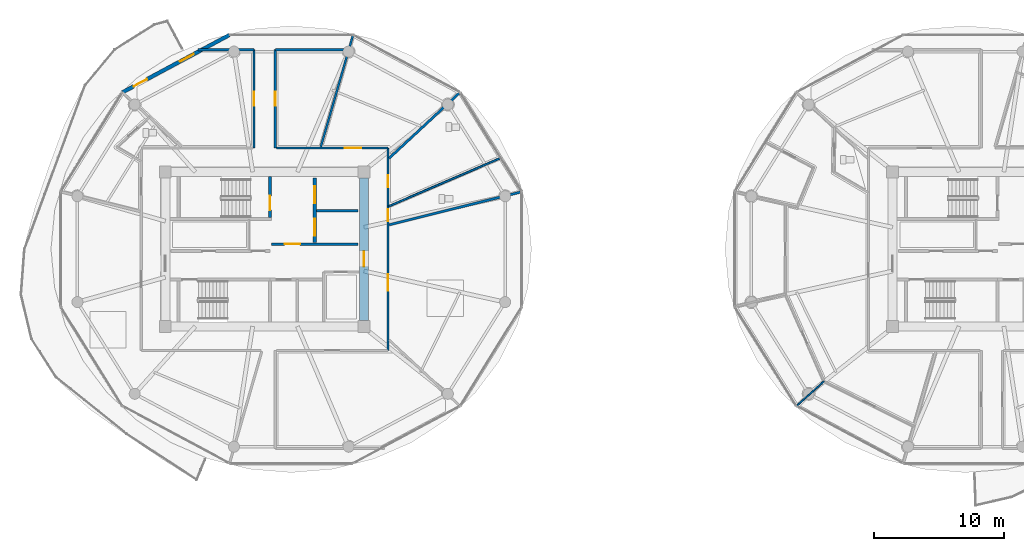
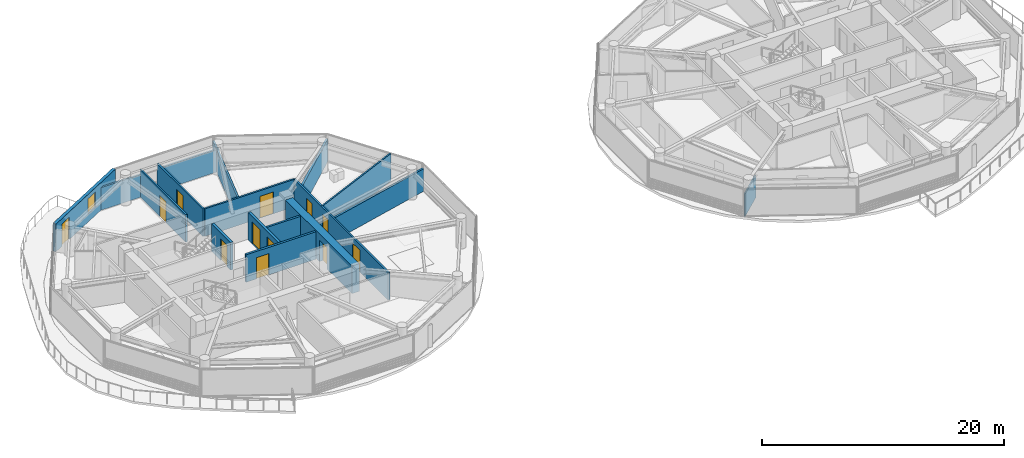
# One storey, part 14 of 25: 17 walls, 12 doors, 1 window, 13 openings.
"""IFC4 building model written with IfcOpenShell, lengths in metres."""

from ifc_helpers import new_model, si_unit, direction, frame, frame_2d, origin, place, context, subcontext, project, spatial, rectangle, extrude, source, transform, mapped, material, layer, layer_set, type_object, type_shapes, element, fill, save


model = new_model("IFC4")

# Units and contexts
model_context = context("Model", 3, precision=1e-05, world=origin(), true_north=direction((0.0, 1.0)))
body_context = subcontext(model_context, "Body", "Model", "MODEL_VIEW")
ifc_project = project(units=[si_unit("LENGTHUNIT", "METRE"), si_unit("AREAUNIT", "SQUARE_METRE"), si_unit("VOLUMEUNIT", "CUBIC_METRE"), si_unit("PLANEANGLEUNIT", "RADIAN"), si_unit("MASSUNIT", "GRAM", prefix="KILO")], contexts=[model_context])

# Site, building, storey
site_placement = place(None, origin())
site = spatial("IfcSite", under=ifc_project, at=site_placement, CompositionType="ELEMENT")
building_placement = place(site_placement, origin())
building = spatial("IfcBuilding", under=site, at=building_placement, Name="Norrkilde Senior Care Towers", CompositionType="ELEMENT")
storey_placement = place(building_placement, frame((0.0, 0.0, 99.300048828125)))
storey = spatial("IfcBuildingStorey", under=building, at=storey_placement, Name="L30", CompositionType="ELEMENT", Elevation=99.300048828125)

# Wall, opening, door
ifc_material_1 = material(Name="Concrete C60/75", Category="concrete")
ifc_layer_1 = layer(ifc_material_1, 0.719970703125)
ifc_layer_set_1 = layer_set([ifc_layer_1], Name="Concrete C60/75")
wall_type_1 = type_object("IfcWallType", Name="Core Shear Wall Z2 720", PredefinedType="SHEAR", material=ifc_layer_set_1)
shared_shape_1 = source(origin(), body_context, "Body", "SweptSolid", [
    extrude(rectangle(XDim=11.0, YDim=0.719970703125, at=frame_2d((5.5, 0.0))), origin(), (0.0, 0.0, 1.0), 2.7900390625),
])
type_shapes(wall_type_1, [shared_shape_1])
wall_1_placement = place(storey_placement, frame((-20.35009765625, 5.5, 0.0), z_axis=(0.0, 0.0, 1.0), x_axis=(0.0, -1.0, 0.0)))
wall_1 = element("IfcWall", 1, at=wall_1_placement, inside=storey, type_object=wall_type_1, Name="L30 Core W East Shear Wall", PredefinedType="SHEAR", context=body_context, shape_type="MappedRepresentation", body=[
    mapped(shared_shape_1, transform((0.0, 0.0, 0.0), x_axis=(1.0, 0.0, 0.0), y_axis=(0.0, 1.0, 0.0), z_axis=(0.0, 0.0, 1.0), scale=1.0)),
])
opening_1_placement = place(wall_1_placement, frame((5.64990234375, 0.0, 0.0)))
opening_1 = element("IfcOpeningElement", 2, at=opening_1_placement, cuts=wall_1, Name="Opening D-04", PredefinedType="OPENING", context=body_context, shape_type="SweptSolid", body=[
    extrude(rectangle(XDim=1.199951171875, YDim=2.14990234375, at=frame_2d((0.60009765625, 1.074951171875))), frame((0.0, 0.369873046875, 0.0), z_axis=(0.0, -1.0, 0.0), x_axis=(1.0, 0.0, 0.0)), (0.0, 0.0, 1.0), 0.739990234375),
])
ifc_material_2 = material(Name="Galvanised Painted Steel", Category="steel")
door_type_1 = type_object("IfcDoorType", Name="Firefighting Lobby Fire Door 1200x2150", OperationType="NOTDEFINED", PredefinedType="DOOR", material=ifc_material_2)
shared_shape_2 = source(origin(), body_context, "Body", "SweptSolid", [
    extrude(rectangle(XDim=1.199951171875, YDim=2.14990234375, at=frame_2d((0.60009765625, 1.074951171875))), frame((0.0, 0.02490234375, 0.0), z_axis=(0.0, -1.0, 0.0), x_axis=(1.0, 0.0, 0.0)), (0.0, 0.0, 1.0), 0.050048828125),
])
type_shapes(door_type_1, [shared_shape_2])
door_1_placement = place(opening_1_placement, frame((1.199951171875, 0.0, 0.0), z_axis=(0.0, 0.0, 1.0), x_axis=(-1.0, 0.0, 0.0)))
door_1 = element("IfcDoor", 3, at=door_1_placement, inside=storey, type_object=door_type_1, Name="L30 Core W East Portal Door", OperationType="SINGLE_SWING_RIGHT", OverallHeight=2.14990234375, OverallWidth=1.199951171875, PredefinedType="DOOR", context=body_context, shape_type="MappedRepresentation", body=[
    mapped(shared_shape_2, transform((0.0, 0.0, 0.0), x_axis=(1.0, 0.0, 0.0), y_axis=(0.0, 1.0, 0.0), z_axis=(0.0, 0.0, 1.0), scale=1.0)),
])
fill(opening_1, door_1)

# Wall, openings, door, window
ifc_material_3 = material(Name="Precast concrete C45/55", Category="concrete")
ifc_layer_2 = layer(ifc_material_3, 0.2900390625)
ifc_layer_set_2 = layer_set([ifc_layer_2], Name="Precast concrete C45/55")
wall_type_2 = type_object("IfcWallType", Name="Winter Garden Facade Wall 290", PredefinedType="SOLIDWALL", material=ifc_layer_set_2)
shared_shape_3 = source(origin(), body_context, "Body", "SweptSolid", [
    extrude(rectangle(XDim=9.3505859375, YDim=0.2900390625, at=frame_2d((4.67529296875, 0.0))), origin(), (0.0, 0.0, 1.0), 2.7900390625),
])
type_shapes(wall_type_2, [shared_shape_3])
wall_2_placement = place(storey_placement, frame((-38.946533203125, 12.077392578125, 0.0), z_axis=(0.0, 0.0, 1.0), x_axis=(0.881184411073, 0.472772708267, 0.0)))
wall_2 = element("IfcWall", 4, at=wall_2_placement, inside=storey, type_object=wall_type_2, Name="L30 Drum W Balcony Access Wall 03", PredefinedType="SOLIDWALL", context=body_context, shape_type="MappedRepresentation", body=[
    mapped(shared_shape_3, transform((0.0, 0.0, 0.0), x_axis=(1.0, 0.0, 0.0), y_axis=(0.0, 1.0, 0.0), z_axis=(0.0, 0.0, 1.0), scale=1.0)),
])
opening_2_placement = place(wall_2_placement, frame((0.97998046875, 0.0, 0.0)))
opening_2 = element("IfcOpeningElement", 5, at=opening_2_placement, cuts=wall_2, Name="Opening D-09", PredefinedType="OPENING", context=body_context, shape_type="SweptSolid", body=[
    extrude(rectangle(XDim=1.14990234375, YDim=2.25, at=frame_2d((0.574951171875, 1.125))), frame((0.0, 0.155029296875, 0.0), z_axis=(0.0, -1.0, 0.0), x_axis=(1.0, 0.0, 0.0)), (0.0, 0.0, 1.0), 0.31005859375),
])
opening_3_placement = place(wall_2_placement, frame((5.025146484375, 0.0, 0.85009765625)))
opening_3 = element("IfcOpeningElement", 6, at=opening_3_placement, cuts=wall_2, Name="Opening WN-07", PredefinedType="OPENING", context=body_context, shape_type="SweptSolid", body=[
    extrude(rectangle(XDim=1.199951171875, YDim=1.5, at=frame_2d((0.60009765625, 0.75))), frame((0.0, 0.155029296875, 0.0), z_axis=(0.0, -1.0, 0.0), x_axis=(1.0, 0.0, 0.0)), (0.0, 0.0, 1.0), 0.31005859375),
])
ifc_material_4 = material(Name="Anodised Aluminium", Category="aluminium")
door_type_2 = type_object("IfcDoorType", Name="Terrace and Balcony Glazed Door 1150x2250", OperationType="NOTDEFINED", PredefinedType="DOOR", material=ifc_material_4)
shared_shape_4 = source(origin(), body_context, "Body", "SweptSolid", [
    extrude(rectangle(XDim=1.14990234375, YDim=2.25, at=frame_2d((0.574951171875, 1.125))), frame((0.0, 0.02490234375, 0.0), z_axis=(0.0, -1.0, 0.0), x_axis=(1.0, 0.0, 0.0)), (0.0, 0.0, 1.0), 0.050048828125),
])
type_shapes(door_type_2, [shared_shape_4])
door_2_placement = place(opening_2_placement, origin())
door_2 = element("IfcDoor", 7, at=door_2_placement, inside=storey, type_object=door_type_2, Name="L30 Drum W Outdoor Terrace Door 03", OperationType="SINGLE_SWING_RIGHT", OverallHeight=2.25, OverallWidth=1.14990234375, PredefinedType="DOOR", context=body_context, shape_type="MappedRepresentation", body=[
    mapped(shared_shape_4, transform((0.0, 0.0, 0.0), x_axis=(1.0, 0.0, 0.0), y_axis=(0.0, 1.0, 0.0), z_axis=(0.0, 0.0, 1.0), scale=1.0)),
])
fill(opening_2, door_2)
ifc_material_5 = material(Name="Triple Low-E Insulated Glazing", Category="glass")
window_type = type_object("IfcWindowType", Name="Stairwell Smoke Vent Window 1200x1500", PartitioningType="SINGLE_PANEL", PredefinedType="WINDOW", material=ifc_material_5)
shared_shape_5 = source(origin(), body_context, "Body", "SweptSolid", [
    extrude(rectangle(XDim=1.199951171875, YDim=1.5, at=frame_2d((0.60009765625, 0.75))), frame((0.0, 0.030029296875, 0.0), z_axis=(0.0, -1.0, 0.0), x_axis=(1.0, 0.0, 0.0)), (0.0, 0.0, 1.0), 0.06005859375),
])
type_shapes(window_type, [shared_shape_5])
window_placement = place(opening_3_placement, origin())
window = element("IfcWindow", 8, at=window_placement, inside=storey, type_object=window_type, Name="L30 Drum W Winter Garden Window 03", OverallHeight=1.5, OverallWidth=1.199951171875, PartitioningType="SINGLE_PANEL", PredefinedType="WINDOW", context=body_context, shape_type="MappedRepresentation", body=[
    mapped(shared_shape_5, transform((0.0, 0.0, 0.0), x_axis=(1.0, 0.0, 0.0), y_axis=(0.0, 1.0, 0.0), z_axis=(0.0, 0.0, 1.0), scale=1.0)),
])
fill(opening_3, window)

# Wall, openings, doors
ifc_material_6 = material(Name="Concrete C45/55", Category="concrete")
ifc_layer_3 = layer(ifc_material_6, 0.239990234375)
ifc_layer_set_3 = layer_set([ifc_layer_3], Name="Concrete C45/55")
wall_type_3 = type_object("IfcWallType", Name="Lift and Plant Rated Enclosure Partition 240", PredefinedType="PARTITIONING", material=ifc_layer_set_3)
shared_shape_6 = source(origin(), body_context, "Body", "SweptSolid", [
    extrude(rectangle(XDim=5.0, YDim=0.239990234375, at=frame_2d((2.5, 0.0))), origin(), (0.0, 0.0, 1.0), 2.77490234375),
])
type_shapes(wall_type_3, [shared_shape_6])
wall_3_placement = place(storey_placement, frame((-24.139892578125, 0.5, 0.0), z_axis=(0.0, 0.0, 1.0), x_axis=(0.0, 1.0, 0.0)))
wall_3 = element("IfcWall", 9, at=wall_3_placement, inside=storey, type_object=wall_type_3, Name="WL-INT-L30-W-FFLE", PredefinedType="PARTITIONING", context=body_context, shape_type="MappedRepresentation", body=[
    mapped(shared_shape_6, transform((0.0, 0.0, 0.0), x_axis=(1.0, 0.0, 0.0), y_axis=(0.0, 1.0, 0.0), z_axis=(0.0, 0.0, 1.0), scale=1.0)),
])
opening_4_placement = place(wall_3_placement, frame((3.050048828125, 0.0, 0.0)))
opening_4 = element("IfcOpeningElement", 10, at=opening_4_placement, cuts=wall_3, Name="Opening LD-02", PredefinedType="OPENING", context=body_context, shape_type="SweptSolid", body=[
    extrude(rectangle(XDim=1.300048828125, YDim=2.199951171875, at=frame_2d((0.64990234375, 1.10009765625))), frame((0.0, 0.1298828125, 0.0), z_axis=(0.0, -1.0, 0.0), x_axis=(1.0, 0.0, 0.0)), (0.0, 0.0, 1.0), 0.260009765625),
])
opening_5_placement = place(wall_3_placement, frame((0.550048828125, 0.0, 0.0)))
opening_5 = element("IfcOpeningElement", 11, at=opening_5_placement, cuts=wall_3, Name="Opening LD-02", PredefinedType="OPENING", context=body_context, shape_type="SweptSolid", body=[
    extrude(rectangle(XDim=1.300048828125, YDim=2.199951171875, at=frame_2d((0.64990234375, 1.10009765625))), frame((0.0, 0.1298828125, 0.0), z_axis=(0.0, -1.0, 0.0), x_axis=(1.0, 0.0, 0.0)), (0.0, 0.0, 1.0), 0.260009765625),
])
ifc_material_7 = material(Name="Stainless Steel", Category="steel")
door_type_3 = type_object("IfcDoorType", Name="Stretcher and FFL Landing Sliding Door 1300x2200", OperationType="NOTDEFINED", PredefinedType="DOOR", material=ifc_material_7)
shared_shape_7 = source(origin(), body_context, "Body", "SweptSolid", [
    extrude(rectangle(XDim=1.300048828125, YDim=2.199951171875, at=frame_2d((0.64990234375, 1.10009765625))), frame((0.0, 0.02490234375, 0.0), z_axis=(0.0, -1.0, 0.0), x_axis=(1.0, 0.0, 0.0)), (0.0, 0.0, 1.0), 0.050048828125),
])
type_shapes(door_type_3, [shared_shape_7])
door_3_placement = place(opening_4_placement, origin())
door_3 = element("IfcDoor", 12, at=door_3_placement, inside=storey, type_object=door_type_3, Name="L30 Firefighting Lift W1 Landing Door", OperationType="SLIDING_TO_LEFT", OverallHeight=2.199951171875, OverallWidth=1.300048828125, PredefinedType="DOOR", context=body_context, shape_type="MappedRepresentation", body=[
    mapped(shared_shape_7, transform((0.0, 0.0, 0.0), x_axis=(1.0, 0.0, 0.0), y_axis=(0.0, 1.0, 0.0), z_axis=(0.0, 0.0, 1.0), scale=1.0)),
])
fill(opening_4, door_3)
door_4_placement = place(opening_5_placement, origin())
door_4 = element("IfcDoor", 13, at=door_4_placement, inside=storey, type_object=door_type_3, Name="L30 Stretcher Lift W1 Landing Door", OperationType="SLIDING_TO_RIGHT", OverallHeight=2.199951171875, OverallWidth=1.300048828125, PredefinedType="DOOR", context=body_context, shape_type="MappedRepresentation", body=[
    mapped(shared_shape_7, transform((0.0, 0.0, 0.0), x_axis=(1.0, 0.0, 0.0), y_axis=(0.0, 1.0, 0.0), z_axis=(0.0, 0.0, 1.0), scale=1.0)),
])
fill(opening_5, door_4)

# Wall
ifc_layer_4 = layer(ifc_material_6, 0.199951171875)
ifc_layer_set_4 = layer_set([ifc_layer_4], Name="Concrete C45/55")
wall_type_4 = type_object("IfcWallType", Name="Shaft Division and Plant Partition 200", PredefinedType="PARTITIONING", material=ifc_layer_set_4)
shared_shape_8 = source(origin(), body_context, "Body", "SweptSolid", [
    extrude(rectangle(XDim=3.199951171875, YDim=0.199951171875, at=frame_2d((1.60009765625, 0.0))), origin(), (0.0, 0.0, 1.0), 2.77490234375),
])
type_shapes(wall_type_4, [shared_shape_8])
wall_4_placement = place(storey_placement, frame((-24.0, 2.949951171875, 0.0), z_axis=(0.0, 0.0, 1.0), x_axis=(1.0, 0.0, 0.0)))
element("IfcWall", 14, at=wall_4_placement, inside=storey, type_object=wall_type_4, Name="WL-INT-L30-W-FFLDIV", PredefinedType="PARTITIONING", context=body_context, shape_type="MappedRepresentation", body=[
    mapped(shared_shape_8, transform((0.0, 0.0, 0.0), x_axis=(1.0, 0.0, 0.0), y_axis=(0.0, 1.0, 0.0), z_axis=(0.0, 0.0, 1.0), scale=1.0)),
])

# Wall, opening, door
ifc_layer_5 = layer(ifc_material_6, 0.2099609375)
ifc_layer_set_5 = layer_set([ifc_layer_5], Name="Concrete C45/55")
wall_type_5 = type_object("IfcWallType", Name="Firefighting Lobby Wall 210", PredefinedType="PARTITIONING", material=ifc_layer_set_5)
shared_shape_9 = source(origin(), body_context, "Body", "SweptSolid", [
    extrude(rectangle(XDim=6.659912109375, YDim=0.2099609375, at=frame_2d((3.330078125, 0.0))), origin(), (0.0, 0.0, 1.0), 2.77490234375),
])
type_shapes(wall_type_5, [shared_shape_9])
wall_5_placement = place(storey_placement, frame((-27.4599609375, 0.389892578125, 0.0), z_axis=(0.0, 0.0, 1.0), x_axis=(1.0, 0.0, 0.0)))
wall_5 = element("IfcWall", 15, at=wall_5_placement, inside=storey, type_object=wall_type_5, Name="WL-INT-L30-W-FFLS", PredefinedType="PARTITIONING", context=body_context, shape_type="MappedRepresentation", body=[
    mapped(shared_shape_9, transform((0.0, 0.0, 0.0), x_axis=(1.0, 0.0, 0.0), y_axis=(0.0, 1.0, 0.0), z_axis=(0.0, 0.0, 1.0), scale=1.0)),
])
opening_6_placement = place(wall_5_placement, frame((1.0, 0.0, 0.0)))
opening_6 = element("IfcOpeningElement", 16, at=opening_6_placement, cuts=wall_5, Name="Opening D-04", PredefinedType="OPENING", context=body_context, shape_type="SweptSolid", body=[
    extrude(rectangle(XDim=1.199951171875, YDim=2.14990234375, at=frame_2d((0.60009765625, 1.074951171875))), frame((0.0, 0.114990234375, 0.0), z_axis=(0.0, -1.0, 0.0), x_axis=(1.0, 0.0, 0.0)), (0.0, 0.0, 1.0), 0.22998046875),
])
door_5_placement = place(opening_6_placement, frame((1.199951171875, 0.0, 0.0), z_axis=(0.0, 0.0, 1.0), x_axis=(-1.0, 0.0, 0.0)))
door_5 = element("IfcDoor", 17, at=door_5_placement, inside=storey, type_object=door_type_1, Name="L30 Firefighting Lobby W Door", OperationType="SINGLE_SWING_LEFT", OverallHeight=2.14990234375, OverallWidth=1.199951171875, PredefinedType="DOOR", context=body_context, shape_type="MappedRepresentation", body=[
    mapped(shared_shape_2, transform((0.0, 0.0, 0.0), x_axis=(1.0, 0.0, 0.0), y_axis=(0.0, 1.0, 0.0), z_axis=(0.0, 0.0, 1.0), scale=1.0)),
])
fill(opening_6, door_5)

# Wall, openings, doors
ifc_material_8 = material(Name="Gypsum Acoustic Board")
ifc_layer_6 = layer(ifc_material_8, 0.1650390625)
ifc_layer_set_6 = layer_set([ifc_layer_6], Name="Gypsum Acoustic Board")
wall_type_6 = type_object("IfcWallType", Name="Corridor Rated Partition 165", PredefinedType="PARTITIONING", material=ifc_layer_set_6)
shared_shape_10 = source(origin(), body_context, "Body", "SweptSolid", [
    extrude(rectangle(XDim=15.60009765625, YDim=0.1650390625, at=frame_2d((7.800048828125, 0.0))), origin(), (0.0, 0.0, 1.0), 2.77490234375),
])
wall_6_placement = place(storey_placement, frame((-18.5, 7.800048828125, 0.0), z_axis=(0.0, 0.0, 1.0), x_axis=(0.0, -1.0, 0.0)))
wall_6 = element("IfcWall", 18, at=wall_6_placement, inside=storey, type_object=wall_type_6, Name="WL-INT-L30-W-CRW-E-0", PredefinedType="PARTITIONING", context=body_context, shape_type="MappedRepresentation", body=[
    mapped(shared_shape_10, transform((0.0, 0.0, 0.0), x_axis=(1.0, 0.0, 0.0), y_axis=(0.0, 1.0, 0.0), z_axis=(0.0, 0.0, 1.0), scale=1.0)),
])
opening_7_placement = place(wall_6_placement, frame((9.734375, 0.0, 0.0)))
opening_7 = element("IfcOpeningElement", 19, at=opening_7_placement, cuts=wall_6, Name="Opening D-05", PredefinedType="OPENING", context=body_context, shape_type="SweptSolid", body=[
    extrude(rectangle(XDim=1.25, YDim=2.199951171875, at=frame_2d((0.625, 1.10009765625))), frame((0.0, 0.092529296875, 0.0), z_axis=(0.0, -1.0, 0.0), x_axis=(1.0, 0.0, 0.0)), (0.0, 0.0, 1.0), 0.18505859375),
])
opening_8_placement = place(wall_6_placement, frame((4.739013671875, 0.0, 0.0)))
opening_8 = element("IfcOpeningElement", 20, at=opening_8_placement, cuts=wall_6, Name="Opening D-08", PredefinedType="OPENING", context=body_context, shape_type="SweptSolid", body=[
    extrude(rectangle(XDim=0.919921875, YDim=2.10009765625, at=frame_2d((0.4599609375, 1.050048828125))), frame((0.0, 0.092529296875, 0.0), z_axis=(0.0, -1.0, 0.0), x_axis=(1.0, 0.0, 0.0)), (0.0, 0.0, 1.0), 0.18505859375),
])
opening_9_placement = place(wall_6_placement, frame((2.096435546875, 0.0, 0.0)))
opening_9 = element("IfcOpeningElement", 21, at=opening_9_placement, cuts=wall_6, Name="Opening D-08", PredefinedType="OPENING", context=body_context, shape_type="SweptSolid", body=[
    extrude(rectangle(XDim=0.919921875, YDim=2.10009765625, at=frame_2d((0.4599609375, 1.050048828125))), frame((0.0, 0.092529296875, 0.0), z_axis=(0.0, -1.0, 0.0), x_axis=(1.0, 0.0, 0.0)), (0.0, 0.0, 1.0), 0.18505859375),
])
ifc_material_9 = material(Name="Nordic Ash Timber", Category="wood")
door_type_4 = type_object("IfcDoorType", Name="Care Bedroom Bariatric Door 1250x2200", OperationType="NOTDEFINED", PredefinedType="DOOR", material=ifc_material_9)
shared_shape_11 = source(origin(), body_context, "Body", "SweptSolid", [
    extrude(rectangle(XDim=1.25, YDim=2.199951171875, at=frame_2d((0.625, 1.10009765625))), frame((0.0, 0.02490234375, 0.0), z_axis=(0.0, -1.0, 0.0), x_axis=(1.0, 0.0, 0.0)), (0.0, 0.0, 1.0), 0.050048828125),
])
type_shapes(door_type_4, [shared_shape_11])
door_6_placement = place(opening_7_placement, frame((1.25, 0.0, 0.0), z_axis=(0.0, 0.0, 1.0), x_axis=(-1.0, 0.0, 0.0)))
door_6 = element("IfcDoor", 22, at=door_6_placement, inside=storey, type_object=door_type_4, Name="L30 Geriatric Rehabilitation Clinic Door", OperationType="SINGLE_SWING_LEFT", OverallHeight=2.199951171875, OverallWidth=1.25, PredefinedType="DOOR", context=body_context, shape_type="MappedRepresentation", body=[
    mapped(shared_shape_11, transform((0.0, 0.0, 0.0), x_axis=(1.0, 0.0, 0.0), y_axis=(0.0, 1.0, 0.0), z_axis=(0.0, 0.0, 1.0), scale=1.0)),
])
fill(opening_7, door_6)
door_type_5 = type_object("IfcDoorType", Name="Accessible Wet Room Door 920x2100", OperationType="NOTDEFINED", PredefinedType="DOOR", material=ifc_material_9)
shared_shape_12 = source(origin(), body_context, "Body", "SweptSolid", [
    extrude(rectangle(XDim=0.919921875, YDim=2.10009765625, at=frame_2d((0.4599609375, 1.050048828125))), frame((0.0, 0.02490234375, 0.0), z_axis=(0.0, -1.0, 0.0), x_axis=(1.0, 0.0, 0.0)), (0.0, 0.0, 1.0), 0.050048828125),
])
type_shapes(door_type_5, [shared_shape_12])
door_7_placement = place(opening_8_placement, frame((0.919921875, 0.0, 0.0), z_axis=(0.0, 0.0, 1.0), x_axis=(-1.0, 0.0, 0.0)))
door_7 = element("IfcDoor", 23, at=door_7_placement, inside=storey, type_object=door_type_5, Name="L30 Accessible Restroom Door", OperationType="SINGLE_SWING_LEFT", OverallHeight=2.10009765625, OverallWidth=0.919921875, PredefinedType="DOOR", context=body_context, shape_type="MappedRepresentation", body=[
    mapped(shared_shape_12, transform((0.0, 0.0, 0.0), x_axis=(1.0, 0.0, 0.0), y_axis=(0.0, 1.0, 0.0), z_axis=(0.0, 0.0, 1.0), scale=1.0)),
])
fill(opening_8, door_7)
door_8_placement = place(opening_9_placement, frame((0.919921875, 0.0, 0.0), z_axis=(0.0, 0.0, 1.0), x_axis=(-1.0, 0.0, 0.0)))
door_8 = element("IfcDoor", 24, at=door_8_placement, inside=storey, type_object=door_type_5, Name="L30 Public Restroom Door", OperationType="SINGLE_SWING_RIGHT", OverallHeight=2.10009765625, OverallWidth=0.919921875, PredefinedType="DOOR", context=body_context, shape_type="MappedRepresentation", body=[
    mapped(shared_shape_12, transform((0.0, 0.0, 0.0), x_axis=(1.0, 0.0, 0.0), y_axis=(0.0, 1.0, 0.0), z_axis=(0.0, 0.0, 1.0), scale=1.0)),
])
fill(opening_9, door_8)

# Wall, opening, door
ifc_layer_7 = layer(ifc_material_6, 0.239990234375)
ifc_layer_set_7 = layer_set([ifc_layer_7], Name="Concrete C45/55")
wall_type_7 = type_object("IfcWallType", Name="Shaft and Stair Enclosure Wall 240", PredefinedType="PARTITIONING", material=ifc_layer_set_7)
shared_shape_13 = source(origin(), body_context, "Body", "SweptSolid", [
    extrude(rectangle(XDim=3.14013671875, YDim=0.239990234375, at=frame_2d((1.570068359375, 0.0))), origin(), (0.0, 0.0, 1.0), 2.7900390625),
])
type_shapes(wall_type_7, [shared_shape_13])
wall_7_placement = place(storey_placement, frame((-27.580078125, 2.449951171875, 0.0), z_axis=(0.0, 0.0, 1.0), x_axis=(0.0, 1.0, 0.0)))
wall_7 = element("IfcWall", 25, at=wall_7_placement, inside=storey, type_object=wall_type_7, Name="WL-INT-L30-W-ST1E", PredefinedType="PARTITIONING", context=body_context, shape_type="MappedRepresentation", body=[
    mapped(shared_shape_13, transform((0.0, 0.0, 0.0), x_axis=(1.0, 0.0, 0.0), y_axis=(0.0, 1.0, 0.0), z_axis=(0.0, 0.0, 1.0), scale=1.0)),
])
opening_10_placement = place(wall_7_placement, frame((0.550048828125, 0.0, 0.0)))
opening_10 = element("IfcOpeningElement", 26, at=opening_10_placement, cuts=wall_7, Name="Opening D-03", PredefinedType="OPENING", context=body_context, shape_type="SweptSolid", body=[
    extrude(rectangle(XDim=1.10009765625, YDim=2.14990234375, at=frame_2d((0.550048828125, 1.074951171875))), frame((0.0, 0.1298828125, 0.0), z_axis=(0.0, -1.0, 0.0), x_axis=(1.0, 0.0, 0.0)), (0.0, 0.0, 1.0), 0.260009765625),
])
door_type_6 = type_object("IfcDoorType", Name="Stairwell Protected Fire Door 1100x2150", OperationType="NOTDEFINED", PredefinedType="DOOR", material=ifc_material_2)
shared_shape_14 = source(origin(), body_context, "Body", "SweptSolid", [
    extrude(rectangle(XDim=1.10009765625, YDim=2.14990234375, at=frame_2d((0.550048828125, 1.074951171875))), frame((0.0, 0.02490234375, 0.0), z_axis=(0.0, -1.0, 0.0), x_axis=(1.0, 0.0, 0.0)), (0.0, 0.0, 1.0), 0.050048828125),
])
type_shapes(door_type_6, [shared_shape_14])
door_9_placement = place(opening_10_placement, origin())
door_9 = element("IfcDoor", 27, at=door_9_placement, inside=storey, type_object=door_type_6, Name="L30 Stair W1 Fire Door", OperationType="SINGLE_SWING_LEFT", OverallHeight=2.14990234375, OverallWidth=1.10009765625, PredefinedType="DOOR", context=body_context, shape_type="MappedRepresentation", body=[
    mapped(shared_shape_14, transform((0.0, 0.0, 0.0), x_axis=(1.0, 0.0, 0.0), y_axis=(0.0, 1.0, 0.0), z_axis=(0.0, 0.0, 1.0), scale=1.0)),
])
fill(opening_10, door_9)

shared_shape_15 = source(origin(), body_context, "Body", "SweptSolid", [
    extrude(rectangle(XDim=8.60009765625, YDim=0.1650390625, at=frame_2d((4.300048828125, 0.0))), origin(), (0.0, 0.0, 1.0), 2.77490234375),
])
wall_8_placement = place(storey_placement, frame((-27.10009765625, 7.800048828125, 0.0), z_axis=(0.0, 0.0, 1.0), x_axis=(1.0, 0.0, 0.0)))
wall_8 = element("IfcWall", 28, at=wall_8_placement, inside=storey, type_object=wall_type_6, Name="WL-INT-L30-W-CRW-N-1", PredefinedType="PARTITIONING", context=body_context, shape_type="MappedRepresentation", body=[
    mapped(shared_shape_15, transform((0.0, 0.0, 0.0), x_axis=(1.0, 0.0, 0.0), y_axis=(0.0, 1.0, 0.0), z_axis=(0.0, 0.0, 1.0), scale=1.0)),
])
opening_11_placement = place(wall_8_placement, frame((5.27490234375, 0.0, 0.0)))
opening_11 = element("IfcOpeningElement", 29, at=opening_11_placement, cuts=wall_8, Name="Opening D-05", PredefinedType="OPENING", context=body_context, shape_type="SweptSolid", body=[
    extrude(rectangle(XDim=1.25, YDim=2.199951171875, at=frame_2d((0.625, 1.10009765625))), frame((0.0, 0.092529296875, 0.0), z_axis=(0.0, -1.0, 0.0), x_axis=(1.0, 0.0, 0.0)), (0.0, 0.0, 1.0), 0.18505859375),
])
door_10_placement = place(opening_11_placement, frame((1.25, 0.0, 0.0), z_axis=(0.0, 0.0, 1.0), x_axis=(-1.0, 0.0, 0.0)))
door_10 = element("IfcDoor", 30, at=door_10_placement, inside=storey, type_object=door_type_4, Name="L30 Care Coordination Charting Office Door", OperationType="SINGLE_SWING_RIGHT", OverallHeight=2.199951171875, OverallWidth=1.25, PredefinedType="DOOR", context=body_context, shape_type="MappedRepresentation", body=[
    mapped(shared_shape_11, transform((0.0, 0.0, 0.0), x_axis=(1.0, 0.0, 0.0), y_axis=(0.0, 1.0, 0.0), z_axis=(0.0, 0.0, 1.0), scale=1.0)),
])
fill(opening_11, door_10)

# Wall
shared_shape_16 = source(origin(), body_context, "Body", "SweptSolid", [
    extrude(rectangle(XDim=8.9892578125, YDim=0.1650390625, at=frame_2d((4.49462890625, 0.0))), origin(), (0.0, 0.0, 1.0), 2.27490234375),
])
wall_9_placement = place(storey_placement, frame((-23.677978515625, 7.8798828125, 0.0), z_axis=(0.0, 0.0, 1.0), x_axis=(0.27702323008, 0.960863221274, 0.0)))
element("IfcWall", 31, at=wall_9_placement, inside=storey, type_object=wall_type_6, Name="WL-INT-L30-W-DEM-02-0", PredefinedType="PARTITIONING", context=body_context, shape_type="MappedRepresentation", body=[
    mapped(shared_shape_16, transform((0.0, 0.0, 0.0), x_axis=(1.0, 0.0, 0.0), y_axis=(0.0, 1.0, 0.0), z_axis=(0.0, 0.0, 1.0), scale=1.0)),
])

# Wall, opening, door
shared_shape_17 = source(origin(), body_context, "Body", "SweptSolid", [
    extrude(rectangle(XDim=7.56005859375, YDim=0.1650390625, at=frame_2d((3.780029296875, 0.0))), origin(), (0.0, 0.0, 1.0), 2.77490234375),
])
wall_10_placement = place(storey_placement, frame((-28.820068359375, 7.800048828125, 0.0), z_axis=(0.0, 0.0, 1.0), x_axis=(0.0, 1.0, 0.0)))
wall_10 = element("IfcWall", 32, at=wall_10_placement, inside=storey, type_object=wall_type_6, Name="WL-INT-L30-W-PKW-NWL", PredefinedType="PARTITIONING", context=body_context, shape_type="MappedRepresentation", body=[
    mapped(shared_shape_17, transform((0.0, 0.0, 0.0), x_axis=(1.0, 0.0, 0.0), y_axis=(0.0, 1.0, 0.0), z_axis=(0.0, 0.0, 1.0), scale=1.0)),
])
opening_12_placement = place(wall_10_placement, frame((3.2548828125, 0.0, 0.0)))
opening_12 = element("IfcOpeningElement", 33, at=opening_12_placement, cuts=wall_10, Name="Opening D-06", PredefinedType="OPENING", context=body_context, shape_type="SweptSolid", body=[
    extrude(rectangle(XDim=1.050048828125, YDim=2.14990234375, at=frame_2d((0.52490234375, 1.074951171875))), frame((0.0, 0.092529296875, 0.0), z_axis=(0.0, -1.0, 0.0), x_axis=(1.0, 0.0, 0.0)), (0.0, 0.0, 1.0), 0.18505859375),
])
door_type_7 = type_object("IfcDoorType", Name="Apartment Entrance Fire Door 1050x2150", OperationType="NOTDEFINED", PredefinedType="DOOR", material=ifc_material_9)
shared_shape_18 = source(origin(), body_context, "Body", "SweptSolid", [
    extrude(rectangle(XDim=1.050048828125, YDim=2.14990234375, at=frame_2d((0.52490234375, 1.074951171875))), frame((0.0, 0.02490234375, 0.0), z_axis=(0.0, -1.0, 0.0), x_axis=(1.0, 0.0, 0.0)), (0.0, 0.0, 1.0), 0.050048828125),
])
type_shapes(door_type_7, [shared_shape_18])
door_11_placement = place(opening_12_placement, frame((1.050048828125, 0.0, 0.0), z_axis=(0.0, 0.0, 1.0), x_axis=(-1.0, 0.0, 0.0)))
door_11 = element("IfcDoor", 34, at=door_11_placement, inside=storey, type_object=door_type_7, Name="L30 Reading Lounge NWL Door", OperationType="SINGLE_SWING_RIGHT", OverallHeight=2.14990234375, OverallWidth=1.050048828125, PredefinedType="DOOR", context=body_context, shape_type="MappedRepresentation", body=[
    mapped(shared_shape_18, transform((0.0, 0.0, 0.0), x_axis=(1.0, 0.0, 0.0), y_axis=(0.0, 1.0, 0.0), z_axis=(0.0, 0.0, 1.0), scale=1.0)),
])
fill(opening_12, door_11)

wall_11_placement = place(storey_placement, frame((-27.179931640625, 7.800048828125, 0.0), z_axis=(0.0, 0.0, 1.0), x_axis=(0.0, 1.0, 0.0)))
wall_11 = element("IfcWall", 35, at=wall_11_placement, inside=storey, type_object=wall_type_6, Name="WL-INT-L30-W-PKW-NEL", PredefinedType="PARTITIONING", context=body_context, shape_type="MappedRepresentation", body=[
    mapped(shared_shape_17, transform((0.0, 0.0, 0.0), x_axis=(1.0, 0.0, 0.0), y_axis=(0.0, 1.0, 0.0), z_axis=(0.0, 0.0, 1.0), scale=1.0)),
])
opening_13_placement = place(wall_11_placement, frame((3.2548828125, 0.0, 0.0)))
opening_13 = element("IfcOpeningElement", 36, at=opening_13_placement, cuts=wall_11, Name="Opening D-06", PredefinedType="OPENING", context=body_context, shape_type="SweptSolid", body=[
    extrude(rectangle(XDim=1.050048828125, YDim=2.14990234375, at=frame_2d((0.52490234375, 1.074951171875))), frame((0.0, 0.092529296875, 0.0), z_axis=(0.0, -1.0, 0.0), x_axis=(1.0, 0.0, 0.0)), (0.0, 0.0, 1.0), 0.18505859375),
])
door_12_placement = place(opening_13_placement, frame((1.050048828125, 0.0, 0.0), z_axis=(0.0, 0.0, 1.0), x_axis=(-1.0, 0.0, 0.0)))
door_12 = element("IfcDoor", 37, at=door_12_placement, inside=storey, type_object=door_type_7, Name="L30 Reading Lounge NEL Door", OperationType="SINGLE_SWING_RIGHT", OverallHeight=2.14990234375, OverallWidth=1.050048828125, PredefinedType="DOOR", context=body_context, shape_type="MappedRepresentation", body=[
    mapped(shared_shape_18, transform((0.0, 0.0, 0.0), x_axis=(1.0, 0.0, 0.0), y_axis=(0.0, 1.0, 0.0), z_axis=(0.0, 0.0, 1.0), scale=1.0)),
])
fill(opening_13, door_12)

# Walls
shared_shape_19 = source(origin(), body_context, "Body", "SweptSolid", [
    extrude(rectangle(XDim=4.306884765625, YDim=0.1650390625, at=frame_2d((2.1533203125, 0.0))), origin(), (0.0, 0.0, 1.0), 2.27490234375),
])
wall_12_placement = place(storey_placement, frame((-33.126953125, 15.360107421875, 0.0), z_axis=(0.0, 0.0, 1.0), x_axis=(1.0, 0.0, 0.0)))
element("IfcWall", 38, at=wall_12_placement, inside=storey, type_object=wall_type_6, Name="WL-INT-L30-W-PKH-NWL-0", PredefinedType="PARTITIONING", context=body_context, shape_type="MappedRepresentation", body=[
    mapped(shared_shape_19, transform((0.0, 0.0, 0.0), x_axis=(1.0, 0.0, 0.0), y_axis=(0.0, 1.0, 0.0), z_axis=(0.0, 0.0, 1.0), scale=1.0)),
])
shared_shape_20 = source(origin(), body_context, "Body", "SweptSolid", [
    extrude(rectangle(XDim=5.81396484375, YDim=0.1650390625, at=frame_2d((2.906982421875, 0.0))), origin(), (0.0, 0.0, 1.0), 2.27490234375),
])
type_shapes(wall_type_6, [shared_shape_10, shared_shape_15, shared_shape_16, shared_shape_17, shared_shape_19, shared_shape_20])
wall_13_placement = place(storey_placement, frame((-27.179931640625, 15.360107421875, 0.0), z_axis=(0.0, 0.0, 1.0), x_axis=(1.0, 0.0, 0.0)))
element("IfcWall", 39, at=wall_13_placement, inside=storey, type_object=wall_type_6, Name="WL-INT-L30-W-PKH-NEL-0", PredefinedType="PARTITIONING", context=body_context, shape_type="MappedRepresentation", body=[
    mapped(shared_shape_20, transform((0.0, 0.0, 0.0), x_axis=(1.0, 0.0, 0.0), y_axis=(0.0, 1.0, 0.0), z_axis=(0.0, 0.0, 1.0), scale=1.0)),
])
ifc_layer_8 = layer(ifc_material_8, 0.18994140625)
ifc_layer_set_8 = layer_set([ifc_layer_8], Name="Gypsum Acoustic Board")
wall_type_8 = type_object("IfcWallType", Name="Unit Demising Acoustic Wall 190", PredefinedType="PARTITIONING", material=ifc_layer_set_8)
shared_shape_21 = source(origin(), body_context, "Body", "SweptSolid", [
    extrude(rectangle(XDim=10.5556640625, YDim=0.18994140625, at=frame_2d((5.27783203125, 0.0))), origin(), (0.0, 0.0, 1.0), 2.27490234375),
])
wall_14_placement = place(storey_placement, frame((-18.419921875, 1.875, 0.0), z_axis=(0.0, 0.0, 1.0), x_axis=(0.970363857851, 0.241648470667, 0.0)))
element("IfcWall", 40, at=wall_14_placement, inside=storey, type_object=wall_type_8, Name="WL-INT-L30-W-DEM-00-0", PredefinedType="PARTITIONING", context=body_context, shape_type="MappedRepresentation", body=[
    mapped(shared_shape_21, transform((0.0, 0.0, 0.0), x_axis=(1.0, 0.0, 0.0), y_axis=(0.0, 1.0, 0.0), z_axis=(0.0, 0.0, 1.0), scale=1.0)),
])
shared_shape_22 = source(origin(), body_context, "Body", "SweptSolid", [
    extrude(rectangle(XDim=7.482177734375, YDim=0.18994140625, at=frame_2d((3.7412109375, 0.0))), origin(), (0.0, 0.0, 1.0), 2.27490234375),
])
type_shapes(wall_type_8, [shared_shape_21, shared_shape_22])
wall_15_placement = place(storey_placement, frame((-18.419921875, 6.998046875, 0.0), z_axis=(0.0, 0.0, 1.0), x_axis=(0.732508698043, 0.680757671489, 0.0)))
element("IfcWall", 41, at=wall_15_placement, inside=storey, type_object=wall_type_8, Name="WL-INT-L30-W-DEM-01-0", PredefinedType="PARTITIONING", context=body_context, shape_type="MappedRepresentation", body=[
    mapped(shared_shape_22, transform((0.0, 0.0, 0.0), x_axis=(1.0, 0.0, 0.0), y_axis=(0.0, 1.0, 0.0), z_axis=(0.0, 0.0, 1.0), scale=1.0)),
])
ifc_layer_9 = layer(ifc_material_8, 0.139892578125)
ifc_layer_set_9 = layer_set([ifc_layer_9], Name="Gypsum Acoustic Board")
wall_type_9 = type_object("IfcWallType", Name="En-suite Wet Room Wall 140", PredefinedType="PARTITIONING", material=ifc_layer_set_9)
shared_shape_23 = source(origin(), body_context, "Body", "SweptSolid", [
    extrude(rectangle(XDim=9.447021484375, YDim=0.139892578125, at=frame_2d((4.7236328125, 0.0))), origin(), (0.0, 0.0, 1.0), 2.77490234375),
])
type_shapes(wall_type_9, [shared_shape_23])
wall_16_placement = place(storey_placement, frame((-18.469970703125, 3.289306640625, 0.0), z_axis=(0.0, 0.0, 1.0), x_axis=(0.918162367414, 0.396204324894, 0.0)))
element("IfcWall", 42, at=wall_16_placement, inside=storey, type_object=wall_type_9, Name="WL-INT-L30-W-MID-00", PredefinedType="PARTITIONING", context=body_context, shape_type="MappedRepresentation", body=[
    mapped(shared_shape_23, transform((0.0, 0.0, 0.0), x_axis=(1.0, 0.0, 0.0), y_axis=(0.0, 1.0, 0.0), z_axis=(0.0, 0.0, 1.0), scale=1.0)),
])
ifc_layer_10 = layer(ifc_material_8, 0.114990234375)
ifc_layer_set_10 = layer_set([ifc_layer_10], Name="Gypsum Acoustic Board")
wall_type_10 = type_object("IfcWallType", Name="Internal Room Partition 115", PredefinedType="PARTITIONING", material=ifc_layer_set_10)
shared_shape_24 = source(origin(), body_context, "Body", "SweptSolid", [
    extrude(rectangle(XDim=2.87060546875, YDim=0.114990234375, at=frame_2d((1.435302734375, 0.0))), origin(), (0.0, 0.0, 1.0), 2.27490234375),
])
type_shapes(wall_type_10, [shared_shape_24])
wall_17_placement = place(storey_placement, frame((15.069580078125, -10.16748046875, 0.0), z_axis=(0.0, 0.0, 1.0), x_axis=(-0.742125841552, -0.670260572688, 0.0)))
element("IfcWall", 43, at=wall_17_placement, inside=storey, type_object=wall_type_10, Name="WL-INT-L30-E-UBR-04-3", PredefinedType="PARTITIONING", context=body_context, shape_type="MappedRepresentation", body=[
    mapped(shared_shape_24, transform((0.0, 0.0, 0.0), x_axis=(1.0, 0.0, 0.0), y_axis=(0.0, 1.0, 0.0), z_axis=(0.0, 0.0, 1.0), scale=1.0)),
])

save(model, "model.ifc")
